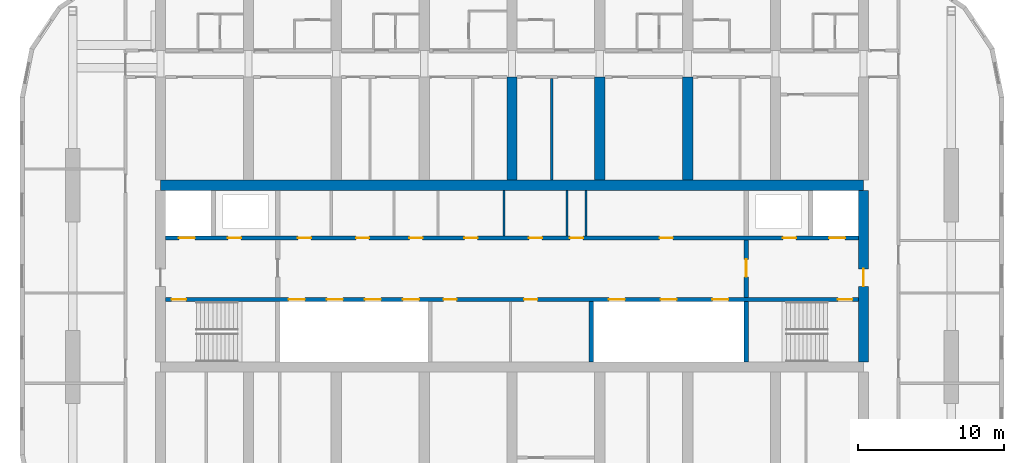
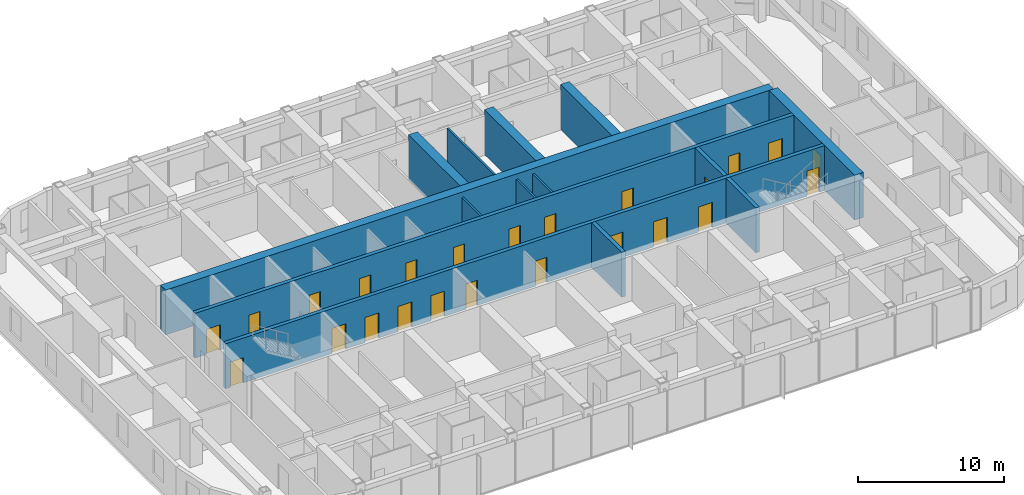
# One storey, part 14 of 23: 24 doors, 14 walls, 24 openings.
"""IFC4 building model written with IfcOpenShell, lengths in metres."""

from ifc_helpers import new_model, si_unit, direction, frame, frame_2d, origin, place, context, subcontext, project, spatial, rectangle, extrude, material, layer, layer_set, type_object, element, fill, save


model = new_model("IFC4")

# Units and contexts
model_context = context("Model", 3, precision=1e-05, world=origin(), true_north=direction((0.0, 1.0)))
body_context = subcontext(model_context, "Body", "Model", "MODEL_VIEW")
ifc_project = project(units=[si_unit("LENGTHUNIT", "METRE"), si_unit("AREAUNIT", "SQUARE_METRE"), si_unit("VOLUMEUNIT", "CUBIC_METRE"), si_unit("PLANEANGLEUNIT", "RADIAN"), si_unit("MASSUNIT", "GRAM", prefix="KILO")], contexts=[model_context])

# Site, building, storey
site_placement = place(None, origin())
site = spatial("IfcSite", under=ifc_project, at=site_placement, CompositionType="ELEMENT")
building_placement = place(site_placement, origin())
building = spatial("IfcBuilding", under=site, at=building_placement, Name="Orbita Commons", CompositionType="ELEMENT")
storey_placement = place(building_placement, frame((0.0, 0.0, 227.800048828125)))
storey = spatial("IfcBuildingStorey", under=building, at=storey_placement, Name="L56", CompositionType="ELEMENT", Elevation=227.800048828125)

# Wall, openings, doors
ifc_material_1 = material(Name="Concrete C50/60", Category="concrete")
ifc_layer_1 = layer(ifc_material_1, 0.300048828125)
ifc_layer_set_1 = layer_set([ifc_layer_1], Name="Concrete C50/60")
wall_type_1 = type_object("IfcWallType", Name="Core inner wall 300 C50/60", PredefinedType="SHEAR", material=ifc_layer_set_1)
wall_1_placement = place(storey_placement, frame((18.35009765625, 30.39990234375, 0.0), z_axis=(0.0, 0.0, 1.0), x_axis=(1.0, 0.0, 0.0)))
wall_1 = element("IfcWall", 1, at=wall_1_placement, inside=storey, type_object=wall_type_1, Name="Lobby wall south L56", PredefinedType="SHEAR", context=body_context, shape_type="SweptSolid", body=[
    extrude(rectangle(XDim=47.2998046875, YDim=0.300048828125, at=frame_2d((23.64990234375, 0.0))), origin(), (0.0, 0.0, 1.0), 3.75),
])
opening_1_placement = place(wall_1_placement, frame((0.39990234375, 0.0, 0.0)))
opening_1 = element("IfcOpeningElement", 2, at=opening_1_placement, cuts=wall_1, Name="Opening D02", PredefinedType="OPENING", context=body_context, shape_type="SweptSolid", body=[
    extrude(rectangle(XDim=1.0, YDim=2.10009765625, at=frame_2d((0.5, 1.050048828125))), frame((0.0, 0.159912109375, 0.0), z_axis=(0.0, -1.0, 0.0), x_axis=(1.0, 0.0, 0.0)), (0.0, 0.0, 1.0), 0.320068359375),
])
opening_2_placement = place(wall_1_placement, frame((45.89990234375, 0.0, 0.0)))
opening_2 = element("IfcOpeningElement", 3, at=opening_2_placement, cuts=wall_1, Name="Opening D02", PredefinedType="OPENING", context=body_context, shape_type="SweptSolid", body=[
    extrude(rectangle(XDim=1.0, YDim=2.10009765625, at=frame_2d((0.5, 1.050048828125))), frame((0.0, 0.159912109375, 0.0), z_axis=(0.0, -1.0, 0.0), x_axis=(1.0, 0.0, 0.0)), (0.0, 0.0, 1.0), 0.320068359375),
])
opening_3_placement = place(wall_1_placement, frame((8.39990234375, 0.0, 0.0)))
opening_3 = element("IfcOpeningElement", 4, at=opening_3_placement, cuts=wall_1, Name="Opening LD02", PredefinedType="OPENING", context=body_context, shape_type="SweptSolid", body=[
    extrude(rectangle(XDim=1.10009765625, YDim=2.10009765625, at=frame_2d((0.550048828125, 1.050048828125))), frame((0.0, 0.159912109375, 0.0), z_axis=(0.0, -1.0, 0.0), x_axis=(1.0, 0.0, 0.0)), (0.0, 0.0, 1.0), 0.320068359375),
])
opening_4_placement = place(wall_1_placement, frame((11.0, 0.0, 0.0)))
opening_4 = element("IfcOpeningElement", 5, at=opening_4_placement, cuts=wall_1, Name="Opening LD02", PredefinedType="OPENING", context=body_context, shape_type="SweptSolid", body=[
    extrude(rectangle(XDim=1.10009765625, YDim=2.10009765625, at=frame_2d((0.550048828125, 1.050048828125))), frame((0.0, 0.159912109375, 0.0), z_axis=(0.0, -1.0, 0.0), x_axis=(1.0, 0.0, 0.0)), (0.0, 0.0, 1.0), 0.320068359375),
])
opening_5_placement = place(wall_1_placement, frame((13.60009765625, 0.0, 0.0)))
opening_5 = element("IfcOpeningElement", 6, at=opening_5_placement, cuts=wall_1, Name="Opening LD02", PredefinedType="OPENING", context=body_context, shape_type="SweptSolid", body=[
    extrude(rectangle(XDim=1.10009765625, YDim=2.10009765625, at=frame_2d((0.550048828125, 1.050048828125))), frame((0.0, 0.159912109375, 0.0), z_axis=(0.0, -1.0, 0.0), x_axis=(1.0, 0.0, 0.0)), (0.0, 0.0, 1.0), 0.320068359375),
])
opening_6_placement = place(wall_1_placement, frame((16.199951171875, 0.0, 0.0)))
opening_6 = element("IfcOpeningElement", 7, at=opening_6_placement, cuts=wall_1, Name="Opening LD02", PredefinedType="OPENING", context=body_context, shape_type="SweptSolid", body=[
    extrude(rectangle(XDim=1.10009765625, YDim=2.10009765625, at=frame_2d((0.550048828125, 1.050048828125))), frame((0.0, 0.159912109375, 0.0), z_axis=(0.0, -1.0, 0.0), x_axis=(1.0, 0.0, 0.0)), (0.0, 0.0, 1.0), 0.320068359375),
])
opening_7_placement = place(wall_1_placement, frame((18.97509765625, 0.0, 0.0)))
opening_7 = element("IfcOpeningElement", 8, at=opening_7_placement, cuts=wall_1, Name="Opening D05", PredefinedType="OPENING", context=body_context, shape_type="SweptSolid", body=[
    extrude(rectangle(XDim=0.89990234375, YDim=2.10009765625, at=frame_2d((0.449951171875, 1.050048828125))), frame((0.0, 0.159912109375, 0.0), z_axis=(0.0, -1.0, 0.0), x_axis=(1.0, 0.0, 0.0)), (0.0, 0.0, 1.0), 0.320068359375),
])
opening_8_placement = place(wall_1_placement, frame((24.47509765625, 0.0, 0.0)))
opening_8 = element("IfcOpeningElement", 9, at=opening_8_placement, cuts=wall_1, Name="Opening D05", PredefinedType="OPENING", context=body_context, shape_type="SweptSolid", body=[
    extrude(rectangle(XDim=0.89990234375, YDim=2.10009765625, at=frame_2d((0.449951171875, 1.050048828125))), frame((0.0, 0.159912109375, 0.0), z_axis=(0.0, -1.0, 0.0), x_axis=(1.0, 0.0, 0.0)), (0.0, 0.0, 1.0), 0.320068359375),
])
opening_9_placement = place(wall_1_placement, frame((30.2666015625, 0.0, 0.0)))
opening_9 = element("IfcOpeningElement", 10, at=opening_9_placement, cuts=wall_1, Name="Opening LD02", PredefinedType="OPENING", context=body_context, shape_type="SweptSolid", body=[
    extrude(rectangle(XDim=1.10009765625, YDim=2.10009765625, at=frame_2d((0.550048828125, 1.050048828125))), frame((0.0, 0.159912109375, 0.0), z_axis=(0.0, -1.0, 0.0), x_axis=(1.0, 0.0, 0.0)), (0.0, 0.0, 1.0), 0.320068359375),
])
opening_10_placement = place(wall_1_placement, frame((33.800048828125, 0.0, 0.0)))
opening_10 = element("IfcOpeningElement", 11, at=opening_10_placement, cuts=wall_1, Name="Opening LD02", PredefinedType="OPENING", context=body_context, shape_type="SweptSolid", body=[
    extrude(rectangle(XDim=1.10009765625, YDim=2.10009765625, at=frame_2d((0.550048828125, 1.050048828125))), frame((0.0, 0.159912109375, 0.0), z_axis=(0.0, -1.0, 0.0), x_axis=(1.0, 0.0, 0.0)), (0.0, 0.0, 1.0), 0.320068359375),
])
opening_11_placement = place(wall_1_placement, frame((37.333251953125, 0.0, 0.0)))
opening_11 = element("IfcOpeningElement", 12, at=opening_11_placement, cuts=wall_1, Name="Opening LD02", PredefinedType="OPENING", context=body_context, shape_type="SweptSolid", body=[
    extrude(rectangle(XDim=1.10009765625, YDim=2.10009765625, at=frame_2d((0.550048828125, 1.050048828125))), frame((0.0, 0.159912109375, 0.0), z_axis=(0.0, -1.0, 0.0), x_axis=(1.0, 0.0, 0.0)), (0.0, 0.0, 1.0), 0.320068359375),
])
ifc_material_2 = material(Name="Steel-faced fire door leaf", Category="steel")
door_type_1 = type_object("IfcDoorType", Name="Fire door 90 min 1000x2100", OperationType="SINGLE_SWING_LEFT", PredefinedType="DOOR", material=ifc_material_2)
door_1_placement = place(opening_1_placement, origin())
door_1 = element("IfcDoor", 13, at=door_1_placement, inside=storey, type_object=door_type_1, Name="Stair S1 door", OperationType="SINGLE_SWING_LEFT", OverallHeight=2.10009765625, OverallWidth=1.0, PredefinedType="DOOR", context=body_context, shape_type="SweptSolid", body=[
    extrude(rectangle(XDim=1.0, YDim=2.10009765625, at=frame_2d((0.5, 1.050048828125))), frame((0.0, 0.02490234375, 0.0), z_axis=(0.0, -1.0, 0.0), x_axis=(1.0, 0.0, 0.0)), (0.0, 0.0, 1.0), 0.050048828125),
])
fill(opening_1, door_1)
door_2_placement = place(opening_2_placement, origin())
door_2 = element("IfcDoor", 14, at=door_2_placement, inside=storey, type_object=door_type_1, Name="Stair S2 door", OperationType="SINGLE_SWING_LEFT", OverallHeight=2.10009765625, OverallWidth=1.0, PredefinedType="DOOR", context=body_context, shape_type="SweptSolid", body=[
    extrude(rectangle(XDim=1.0, YDim=2.10009765625, at=frame_2d((0.5, 1.050048828125))), frame((0.0, 0.02490234375, 0.0), z_axis=(0.0, -1.0, 0.0), x_axis=(1.0, 0.0, 0.0)), (0.0, 0.0, 1.0), 0.050048828125),
])
fill(opening_2, door_2)
ifc_material_3 = material(Name="Steel-faced fire door leaf", Category="steel")
door_type_2 = type_object("IfcDoorType", Name="Lift landing door 1100x2100", OperationType="DOUBLE_DOOR_SLIDING", PredefinedType="DOOR", material=ifc_material_3)
door_3_placement = place(opening_3_placement, origin())
door_3 = element("IfcDoor", 15, at=door_3_placement, inside=storey, type_object=door_type_2, Name="Lift P41 landing door", OperationType="DOUBLE_DOOR_SLIDING", OverallHeight=2.10009765625, OverallWidth=1.10009765625, PredefinedType="DOOR", context=body_context, shape_type="SweptSolid", body=[
    extrude(rectangle(XDim=1.10009765625, YDim=2.10009765625, at=frame_2d((0.550048828125, 1.050048828125))), frame((0.0, 0.02490234375, 0.0), z_axis=(0.0, -1.0, 0.0), x_axis=(1.0, 0.0, 0.0)), (0.0, 0.0, 1.0), 0.050048828125),
])
fill(opening_3, door_3)
door_4_placement = place(opening_4_placement, origin())
door_4 = element("IfcDoor", 16, at=door_4_placement, inside=storey, type_object=door_type_2, Name="Lift P42 landing door", OperationType="DOUBLE_DOOR_SLIDING", OverallHeight=2.10009765625, OverallWidth=1.10009765625, PredefinedType="DOOR", context=body_context, shape_type="SweptSolid", body=[
    extrude(rectangle(XDim=1.10009765625, YDim=2.10009765625, at=frame_2d((0.550048828125, 1.050048828125))), frame((0.0, 0.02490234375, 0.0), z_axis=(0.0, -1.0, 0.0), x_axis=(1.0, 0.0, 0.0)), (0.0, 0.0, 1.0), 0.050048828125),
])
fill(opening_4, door_4)
door_5_placement = place(opening_5_placement, origin())
door_5 = element("IfcDoor", 17, at=door_5_placement, inside=storey, type_object=door_type_2, Name="Lift P43 landing door", OperationType="DOUBLE_DOOR_SLIDING", OverallHeight=2.10009765625, OverallWidth=1.10009765625, PredefinedType="DOOR", context=body_context, shape_type="SweptSolid", body=[
    extrude(rectangle(XDim=1.10009765625, YDim=2.10009765625, at=frame_2d((0.550048828125, 1.050048828125))), frame((0.0, 0.02490234375, 0.0), z_axis=(0.0, -1.0, 0.0), x_axis=(1.0, 0.0, 0.0)), (0.0, 0.0, 1.0), 0.050048828125),
])
fill(opening_5, door_5)
door_6_placement = place(opening_6_placement, origin())
door_6 = element("IfcDoor", 18, at=door_6_placement, inside=storey, type_object=door_type_2, Name="Lift P44 landing door", OperationType="DOUBLE_DOOR_SLIDING", OverallHeight=2.10009765625, OverallWidth=1.10009765625, PredefinedType="DOOR", context=body_context, shape_type="SweptSolid", body=[
    extrude(rectangle(XDim=1.10009765625, YDim=2.10009765625, at=frame_2d((0.550048828125, 1.050048828125))), frame((0.0, 0.02490234375, 0.0), z_axis=(0.0, -1.0, 0.0), x_axis=(1.0, 0.0, 0.0)), (0.0, 0.0, 1.0), 0.050048828125),
])
fill(opening_6, door_6)
door_7_placement = place(opening_9_placement, origin())
door_7 = element("IfcDoor", 19, at=door_7_placement, inside=storey, type_object=door_type_2, Name="Lift SV1 landing door", OperationType="DOUBLE_DOOR_SLIDING", OverallHeight=2.10009765625, OverallWidth=1.10009765625, PredefinedType="DOOR", context=body_context, shape_type="SweptSolid", body=[
    extrude(rectangle(XDim=1.10009765625, YDim=2.10009765625, at=frame_2d((0.550048828125, 1.050048828125))), frame((0.0, 0.02490234375, 0.0), z_axis=(0.0, -1.0, 0.0), x_axis=(1.0, 0.0, 0.0)), (0.0, 0.0, 1.0), 0.050048828125),
])
fill(opening_9, door_7)
door_8_placement = place(opening_10_placement, origin())
door_8 = element("IfcDoor", 20, at=door_8_placement, inside=storey, type_object=door_type_2, Name="Lift SV2 landing door", OperationType="DOUBLE_DOOR_SLIDING", OverallHeight=2.10009765625, OverallWidth=1.10009765625, PredefinedType="DOOR", context=body_context, shape_type="SweptSolid", body=[
    extrude(rectangle(XDim=1.10009765625, YDim=2.10009765625, at=frame_2d((0.550048828125, 1.050048828125))), frame((0.0, 0.02490234375, 0.0), z_axis=(0.0, -1.0, 0.0), x_axis=(1.0, 0.0, 0.0)), (0.0, 0.0, 1.0), 0.050048828125),
])
fill(opening_10, door_8)
door_9_placement = place(opening_11_placement, origin())
door_9 = element("IfcDoor", 21, at=door_9_placement, inside=storey, type_object=door_type_2, Name="Lift SV3 landing door", OperationType="DOUBLE_DOOR_SLIDING", OverallHeight=2.10009765625, OverallWidth=1.10009765625, PredefinedType="DOOR", context=body_context, shape_type="SweptSolid", body=[
    extrude(rectangle(XDim=1.10009765625, YDim=2.10009765625, at=frame_2d((0.550048828125, 1.050048828125))), frame((0.0, 0.02490234375, 0.0), z_axis=(0.0, -1.0, 0.0), x_axis=(1.0, 0.0, 0.0)), (0.0, 0.0, 1.0), 0.050048828125),
])
fill(opening_11, door_9)
ifc_material_4 = material(Name="Steel-faced fire door leaf", Category="steel")
door_type_3 = type_object("IfcDoorType", Name="Service door 20 min 900x2100", OperationType="SINGLE_SWING_LEFT", PredefinedType="DOOR", material=ifc_material_4)
door_10_placement = place(opening_7_placement, origin())
door_10 = element("IfcDoor", 22, at=door_10_placement, inside=storey, type_object=door_type_3, Name="Telecoms room door", OperationType="SINGLE_SWING_LEFT", OverallHeight=2.10009765625, OverallWidth=0.89990234375, PredefinedType="DOOR", context=body_context, shape_type="SweptSolid", body=[
    extrude(rectangle(XDim=0.89990234375, YDim=2.10009765625, at=frame_2d((0.449951171875, 1.050048828125))), frame((0.0, 0.02490234375, 0.0), z_axis=(0.0, -1.0, 0.0), x_axis=(1.0, 0.0, 0.0)), (0.0, 0.0, 1.0), 0.050048828125),
])
fill(opening_7, door_10)
door_11_placement = place(opening_8_placement, origin())
door_11 = element("IfcDoor", 23, at=door_11_placement, inside=storey, type_object=door_type_3, Name="Equipment store door", OperationType="SINGLE_SWING_LEFT", OverallHeight=2.10009765625, OverallWidth=0.89990234375, PredefinedType="DOOR", context=body_context, shape_type="SweptSolid", body=[
    extrude(rectangle(XDim=0.89990234375, YDim=2.10009765625, at=frame_2d((0.449951171875, 1.050048828125))), frame((0.0, 0.02490234375, 0.0), z_axis=(0.0, -1.0, 0.0), x_axis=(1.0, 0.0, 0.0)), (0.0, 0.0, 1.0), 0.050048828125),
])
fill(opening_8, door_11)

wall_2_placement = place(storey_placement, frame((18.35009765625, 34.60009765625, 0.0), z_axis=(0.0, 0.0, 1.0), x_axis=(1.0, 0.0, 0.0)))
wall_2 = element("IfcWall", 24, at=wall_2_placement, inside=storey, type_object=wall_type_1, Name="Lobby wall north L56", PredefinedType="SHEAR", context=body_context, shape_type="SweptSolid", body=[
    extrude(rectangle(XDim=47.2998046875, YDim=0.300048828125, at=frame_2d((23.64990234375, 0.0))), origin(), (0.0, 0.0, 1.0), 3.75),
])
opening_12_placement = place(wall_2_placement, frame((0.89990234375, 0.0, 0.0)))
opening_12 = element("IfcOpeningElement", 25, at=opening_12_placement, cuts=wall_2, Name="Opening LD01", PredefinedType="OPENING", context=body_context, shape_type="SweptSolid", body=[
    extrude(rectangle(XDim=1.10009765625, YDim=2.10009765625, at=frame_2d((0.550048828125, 1.050048828125))), frame((0.0, 0.159912109375, 0.0), z_axis=(0.0, -1.0, 0.0), x_axis=(1.0, 0.0, 0.0)), (0.0, 0.0, 1.0), 0.320068359375),
])
opening_13_placement = place(wall_2_placement, frame((45.300048828125, 0.0, 0.0)))
opening_13 = element("IfcOpeningElement", 26, at=opening_13_placement, cuts=wall_2, Name="Opening LD01", PredefinedType="OPENING", context=body_context, shape_type="SweptSolid", body=[
    extrude(rectangle(XDim=1.10009765625, YDim=2.10009765625, at=frame_2d((0.550048828125, 1.050048828125))), frame((0.0, 0.159912109375, 0.0), z_axis=(0.0, -1.0, 0.0), x_axis=(1.0, 0.0, 0.0)), (0.0, 0.0, 1.0), 0.320068359375),
])
opening_14_placement = place(wall_2_placement, frame((4.25, 0.0, 0.0)))
opening_14 = element("IfcOpeningElement", 27, at=opening_14_placement, cuts=wall_2, Name="Opening D03", PredefinedType="OPENING", context=body_context, shape_type="SweptSolid", body=[
    extrude(rectangle(XDim=0.89990234375, YDim=2.10009765625, at=frame_2d((0.449951171875, 1.050048828125))), frame((0.0, 0.159912109375, 0.0), z_axis=(0.0, -1.0, 0.0), x_axis=(1.0, 0.0, 0.0)), (0.0, 0.0, 1.0), 0.320068359375),
])
opening_15_placement = place(wall_2_placement, frame((42.14990234375, 0.0, 0.0)))
opening_15 = element("IfcOpeningElement", 28, at=opening_15_placement, cuts=wall_2, Name="Opening D03", PredefinedType="OPENING", context=body_context, shape_type="SweptSolid", body=[
    extrude(rectangle(XDim=0.89990234375, YDim=2.10009765625, at=frame_2d((0.449951171875, 1.050048828125))), frame((0.0, 0.159912109375, 0.0), z_axis=(0.0, -1.0, 0.0), x_axis=(1.0, 0.0, 0.0)), (0.0, 0.0, 1.0), 0.320068359375),
])
opening_16_placement = place(wall_2_placement, frame((9.025390625, 0.0, 0.0)))
opening_16 = element("IfcOpeningElement", 29, at=opening_16_placement, cuts=wall_2, Name="Opening D05", PredefinedType="OPENING", context=body_context, shape_type="SweptSolid", body=[
    extrude(rectangle(XDim=0.89990234375, YDim=2.10009765625, at=frame_2d((0.449951171875, 1.050048828125))), frame((0.0, 0.159912109375, 0.0), z_axis=(0.0, -1.0, 0.0), x_axis=(1.0, 0.0, 0.0)), (0.0, 0.0, 1.0), 0.320068359375),
])
opening_17_placement = place(wall_2_placement, frame((12.998779296875, 0.0, 0.0)))
opening_17 = element("IfcOpeningElement", 30, at=opening_17_placement, cuts=wall_2, Name="Opening D03", PredefinedType="OPENING", context=body_context, shape_type="SweptSolid", body=[
    extrude(rectangle(XDim=0.89990234375, YDim=2.10009765625, at=frame_2d((0.449951171875, 1.050048828125))), frame((0.0, 0.159912109375, 0.0), z_axis=(0.0, -1.0, 0.0), x_axis=(1.0, 0.0, 0.0)), (0.0, 0.0, 1.0), 0.320068359375),
])
opening_18_placement = place(wall_2_placement, frame((16.646240234375, 0.0, 0.0)))
opening_18 = element("IfcOpeningElement", 31, at=opening_18_placement, cuts=wall_2, Name="Opening D03", PredefinedType="OPENING", context=body_context, shape_type="SweptSolid", body=[
    extrude(rectangle(XDim=0.89990234375, YDim=2.10009765625, at=frame_2d((0.449951171875, 1.050048828125))), frame((0.0, 0.159912109375, 0.0), z_axis=(0.0, -1.0, 0.0), x_axis=(1.0, 0.0, 0.0)), (0.0, 0.0, 1.0), 0.320068359375),
])
opening_19_placement = place(wall_2_placement, frame((20.40478515625, 0.0, 0.0)))
opening_19 = element("IfcOpeningElement", 32, at=opening_19_placement, cuts=wall_2, Name="Opening D05", PredefinedType="OPENING", context=body_context, shape_type="SweptSolid", body=[
    extrude(rectangle(XDim=0.89990234375, YDim=2.10009765625, at=frame_2d((0.449951171875, 1.050048828125))), frame((0.0, 0.159912109375, 0.0), z_axis=(0.0, -1.0, 0.0), x_axis=(1.0, 0.0, 0.0)), (0.0, 0.0, 1.0), 0.320068359375),
])
opening_20_placement = place(wall_2_placement, frame((24.810791015625, 0.0, 0.0)))
opening_20 = element("IfcOpeningElement", 33, at=opening_20_placement, cuts=wall_2, Name="Opening D03", PredefinedType="OPENING", context=body_context, shape_type="SweptSolid", body=[
    extrude(rectangle(XDim=0.89990234375, YDim=2.10009765625, at=frame_2d((0.449951171875, 1.050048828125))), frame((0.0, 0.159912109375, 0.0), z_axis=(0.0, -1.0, 0.0), x_axis=(1.0, 0.0, 0.0)), (0.0, 0.0, 1.0), 0.320068359375),
])
opening_21_placement = place(wall_2_placement, frame((27.6083984375, 0.0, 0.0)))
opening_21 = element("IfcOpeningElement", 34, at=opening_21_placement, cuts=wall_2, Name="Opening D03", PredefinedType="OPENING", context=body_context, shape_type="SweptSolid", body=[
    extrude(rectangle(XDim=0.89990234375, YDim=2.10009765625, at=frame_2d((0.449951171875, 1.050048828125))), frame((0.0, 0.159912109375, 0.0), z_axis=(0.0, -1.0, 0.0), x_axis=(1.0, 0.0, 0.0)), (0.0, 0.0, 1.0), 0.320068359375),
])
opening_22_placement = place(wall_2_placement, frame((33.729248046875, 0.0, 0.0)))
opening_22 = element("IfcOpeningElement", 35, at=opening_22_placement, cuts=wall_2, Name="Opening D03", PredefinedType="OPENING", context=body_context, shape_type="SweptSolid", body=[
    extrude(rectangle(XDim=0.89990234375, YDim=2.10009765625, at=frame_2d((0.449951171875, 1.050048828125))), frame((0.0, 0.159912109375, 0.0), z_axis=(0.0, -1.0, 0.0), x_axis=(1.0, 0.0, 0.0)), (0.0, 0.0, 1.0), 0.320068359375),
])
ifc_material_5 = material(Name="Steel-faced fire door leaf", Category="steel")
door_type_4 = type_object("IfcDoorType", Name="Firefighting lift landing door 1100x2100", OperationType="DOUBLE_DOOR_SLIDING", PredefinedType="DOOR", material=ifc_material_5)
door_12_placement = place(opening_12_placement, origin())
door_12 = element("IfcDoor", 36, at=door_12_placement, inside=storey, type_object=door_type_4, Name="Firefighting lift FL1 landing door", OperationType="DOUBLE_DOOR_SLIDING", OverallHeight=2.10009765625, OverallWidth=1.10009765625, PredefinedType="DOOR", context=body_context, shape_type="SweptSolid", body=[
    extrude(rectangle(XDim=1.10009765625, YDim=2.10009765625, at=frame_2d((0.550048828125, 1.050048828125))), frame((0.0, 0.02490234375, 0.0), z_axis=(0.0, -1.0, 0.0), x_axis=(1.0, 0.0, 0.0)), (0.0, 0.0, 1.0), 0.050048828125),
])
fill(opening_12, door_12)
door_13_placement = place(opening_13_placement, origin())
door_13 = element("IfcDoor", 37, at=door_13_placement, inside=storey, type_object=door_type_4, Name="Firefighting lift FL2 landing door", OperationType="DOUBLE_DOOR_SLIDING", OverallHeight=2.10009765625, OverallWidth=1.10009765625, PredefinedType="DOOR", context=body_context, shape_type="SweptSolid", body=[
    extrude(rectangle(XDim=1.10009765625, YDim=2.10009765625, at=frame_2d((0.550048828125, 1.050048828125))), frame((0.0, 0.02490234375, 0.0), z_axis=(0.0, -1.0, 0.0), x_axis=(1.0, 0.0, 0.0)), (0.0, 0.0, 1.0), 0.050048828125),
])
fill(opening_13, door_13)
door_14_placement = place(opening_16_placement, origin())
door_14 = element("IfcDoor", 38, at=door_14_placement, inside=storey, type_object=door_type_3, Name="Staff WC door", OperationType="SINGLE_SWING_LEFT", OverallHeight=2.10009765625, OverallWidth=0.89990234375, PredefinedType="DOOR", context=body_context, shape_type="SweptSolid", body=[
    extrude(rectangle(XDim=0.89990234375, YDim=2.10009765625, at=frame_2d((0.449951171875, 1.050048828125))), frame((0.0, 0.02490234375, 0.0), z_axis=(0.0, -1.0, 0.0), x_axis=(1.0, 0.0, 0.0)), (0.0, 0.0, 1.0), 0.050048828125),
])
fill(opening_16, door_14)
door_15_placement = place(opening_19_placement, origin())
door_15 = element("IfcDoor", 39, at=door_15_placement, inside=storey, type_object=door_type_3, Name="Accessible WC door", OperationType="SINGLE_SWING_LEFT", OverallHeight=2.10009765625, OverallWidth=0.89990234375, PredefinedType="DOOR", context=body_context, shape_type="SweptSolid", body=[
    extrude(rectangle(XDim=0.89990234375, YDim=2.10009765625, at=frame_2d((0.449951171875, 1.050048828125))), frame((0.0, 0.02490234375, 0.0), z_axis=(0.0, -1.0, 0.0), x_axis=(1.0, 0.0, 0.0)), (0.0, 0.0, 1.0), 0.050048828125),
])
fill(opening_19, door_15)
ifc_material_6 = material(Name="Steel-faced fire door leaf", Category="steel")
door_type_5 = type_object("IfcDoorType", Name="Shaft access door 90 min 900x2100", OperationType="SINGLE_SWING_LEFT", PredefinedType="DOOR", material=ifc_material_6)
door_16_placement = place(opening_14_placement, origin())
door_16 = element("IfcDoor", 40, at=door_16_placement, inside=storey, type_object=door_type_5, Name="Riser door west", OperationType="SINGLE_SWING_LEFT", OverallHeight=2.10009765625, OverallWidth=0.89990234375, PredefinedType="DOOR", context=body_context, shape_type="SweptSolid", body=[
    extrude(rectangle(XDim=0.89990234375, YDim=2.10009765625, at=frame_2d((0.449951171875, 1.050048828125))), frame((0.0, 0.02490234375, 0.0), z_axis=(0.0, -1.0, 0.0), x_axis=(1.0, 0.0, 0.0)), (0.0, 0.0, 1.0), 0.050048828125),
])
fill(opening_14, door_16)
door_17_placement = place(opening_15_placement, origin())
door_17 = element("IfcDoor", 41, at=door_17_placement, inside=storey, type_object=door_type_5, Name="Riser door east", OperationType="SINGLE_SWING_LEFT", OverallHeight=2.10009765625, OverallWidth=0.89990234375, PredefinedType="DOOR", context=body_context, shape_type="SweptSolid", body=[
    extrude(rectangle(XDim=0.89990234375, YDim=2.10009765625, at=frame_2d((0.449951171875, 1.050048828125))), frame((0.0, 0.02490234375, 0.0), z_axis=(0.0, -1.0, 0.0), x_axis=(1.0, 0.0, 0.0)), (0.0, 0.0, 1.0), 0.050048828125),
])
fill(opening_15, door_17)
door_18_placement = place(opening_17_placement, origin())
door_18 = element("IfcDoor", 42, at=door_18_placement, inside=storey, type_object=door_type_5, Name="Refuse chute room door", OperationType="SINGLE_SWING_LEFT", OverallHeight=2.10009765625, OverallWidth=0.89990234375, PredefinedType="DOOR", context=body_context, shape_type="SweptSolid", body=[
    extrude(rectangle(XDim=0.89990234375, YDim=2.10009765625, at=frame_2d((0.449951171875, 1.050048828125))), frame((0.0, 0.02490234375, 0.0), z_axis=(0.0, -1.0, 0.0), x_axis=(1.0, 0.0, 0.0)), (0.0, 0.0, 1.0), 0.050048828125),
])
fill(opening_17, door_18)
door_19_placement = place(opening_18_placement, origin())
door_19 = element("IfcDoor", 43, at=door_19_placement, inside=storey, type_object=door_type_5, Name="Electrical riser room door", OperationType="SINGLE_SWING_LEFT", OverallHeight=2.10009765625, OverallWidth=0.89990234375, PredefinedType="DOOR", context=body_context, shape_type="SweptSolid", body=[
    extrude(rectangle(XDim=0.89990234375, YDim=2.10009765625, at=frame_2d((0.449951171875, 1.050048828125))), frame((0.0, 0.02490234375, 0.0), z_axis=(0.0, -1.0, 0.0), x_axis=(1.0, 0.0, 0.0)), (0.0, 0.0, 1.0), 0.050048828125),
])
fill(opening_18, door_19)
door_20_placement = place(opening_20_placement, origin())
door_20 = element("IfcDoor", 44, at=door_20_placement, inside=storey, type_object=door_type_5, Name="Communications room door", OperationType="SINGLE_SWING_LEFT", OverallHeight=2.10009765625, OverallWidth=0.89990234375, PredefinedType="DOOR", context=body_context, shape_type="SweptSolid", body=[
    extrude(rectangle(XDim=0.89990234375, YDim=2.10009765625, at=frame_2d((0.449951171875, 1.050048828125))), frame((0.0, 0.02490234375, 0.0), z_axis=(0.0, -1.0, 0.0), x_axis=(1.0, 0.0, 0.0)), (0.0, 0.0, 1.0), 0.050048828125),
])
fill(opening_20, door_20)
door_21_placement = place(opening_21_placement, origin())
door_21 = element("IfcDoor", 45, at=door_21_placement, inside=storey, type_object=door_type_5, Name="Stair pressurisation duct door", OperationType="SINGLE_SWING_LEFT", OverallHeight=2.10009765625, OverallWidth=0.89990234375, PredefinedType="DOOR", context=body_context, shape_type="SweptSolid", body=[
    extrude(rectangle(XDim=0.89990234375, YDim=2.10009765625, at=frame_2d((0.449951171875, 1.050048828125))), frame((0.0, 0.02490234375, 0.0), z_axis=(0.0, -1.0, 0.0), x_axis=(1.0, 0.0, 0.0)), (0.0, 0.0, 1.0), 0.050048828125),
])
fill(opening_21, door_21)
door_22_placement = place(opening_22_placement, origin())
door_22 = element("IfcDoor", 46, at=door_22_placement, inside=storey, type_object=door_type_5, Name="Linen and housekeeping store door", OperationType="SINGLE_SWING_LEFT", OverallHeight=2.10009765625, OverallWidth=0.89990234375, PredefinedType="DOOR", context=body_context, shape_type="SweptSolid", body=[
    extrude(rectangle(XDim=0.89990234375, YDim=2.10009765625, at=frame_2d((0.449951171875, 1.050048828125))), frame((0.0, 0.02490234375, 0.0), z_axis=(0.0, -1.0, 0.0), x_axis=(1.0, 0.0, 0.0)), (0.0, 0.0, 1.0), 0.050048828125),
])
fill(opening_22, door_22)

# Wall
wall_3_placement = place(storey_placement, frame((58.0, 26.14990234375, 0.0), z_axis=(0.0, 0.0, 1.0), x_axis=(0.0, 1.0, 0.0)))
element("IfcWall", 47, at=wall_3_placement, inside=storey, type_object=wall_type_1, Name="Stair S2 wall L56", PredefinedType="SHEAR", context=body_context, shape_type="SweptSolid", body=[
    extrude(rectangle(XDim=4.10009765625, YDim=0.300048828125, at=frame_2d((2.050048828125, 0.0))), origin(), (0.0, 0.0, 1.0), 3.75),
])

# Wall, opening, door
wall_4_placement = place(storey_placement, frame((58.0, 30.550048828125, 0.0), z_axis=(0.0, 0.0, 1.0), x_axis=(0.0, 1.0, 0.0)))
wall_4 = element("IfcWall", 48, at=wall_4_placement, inside=storey, type_object=wall_type_1, Name="Firefighting lobby wall east L56", PredefinedType="SHEAR", context=body_context, shape_type="SweptSolid", body=[
    extrude(rectangle(XDim=3.89990234375, YDim=0.300048828125, at=frame_2d((1.949951171875, 0.0))), origin(), (0.0, 0.0, 1.0), 3.75),
])
opening_23_placement = place(wall_4_placement, frame((1.39990234375, 0.0, 0.0)))
opening_23 = element("IfcOpeningElement", 49, at=opening_23_placement, cuts=wall_4, Name="Opening D04", PredefinedType="OPENING", context=body_context, shape_type="SweptSolid", body=[
    extrude(rectangle(XDim=1.199951171875, YDim=2.10009765625, at=frame_2d((0.60009765625, 1.050048828125))), frame((0.0, 0.159912109375, 0.0), z_axis=(0.0, -1.0, 0.0), x_axis=(1.0, 0.0, 0.0)), (0.0, 0.0, 1.0), 0.320068359375),
])
ifc_material_7 = material(Name="Steel-faced fire door leaf", Category="steel")
door_type_6 = type_object("IfcDoorType", Name="Service door 20 min 1200x2100", OperationType="SINGLE_SWING_LEFT", PredefinedType="DOOR", material=ifc_material_7)
door_23_placement = place(opening_23_placement, origin())
door_23 = element("IfcDoor", 50, at=door_23_placement, inside=storey, type_object=door_type_6, Name="Lift lobby door east", OperationType="SINGLE_SWING_LEFT", OverallHeight=2.10009765625, OverallWidth=1.199951171875, PredefinedType="DOOR", context=body_context, shape_type="SweptSolid", body=[
    extrude(rectangle(XDim=1.199951171875, YDim=2.10009765625, at=frame_2d((0.60009765625, 1.050048828125))), frame((0.0, 0.02490234375, 0.0), z_axis=(0.0, -1.0, 0.0), x_axis=(1.0, 0.0, 0.0)), (0.0, 0.0, 1.0), 0.050048828125),
])
fill(opening_23, door_23)

# Walls
wall_5_placement = place(storey_placement, frame((47.39990234375, 26.14990234375, 0.0), z_axis=(0.0, 0.0, 1.0), x_axis=(0.0, 1.0, 0.0)))
element("IfcWall", 51, at=wall_5_placement, inside=storey, type_object=wall_type_1, Name="Hoistway division wall L56", PredefinedType="SHEAR", context=body_context, shape_type="SweptSolid", body=[
    extrude(rectangle(XDim=4.10009765625, YDim=0.300048828125, at=frame_2d((2.050048828125, 0.0))), origin(), (0.0, 0.0, 1.0), 3.75),
])
ifc_material_8 = material(Name="Concrete blockwork", Category="masonry")
ifc_layer_2 = layer(ifc_material_8, 0.14990234375)
ifc_layer_set_2 = layer_set([ifc_layer_2], Name="Concrete blockwork")
wall_type_2 = type_object("IfcWallType", Name="Core partition 150 blockwork", PredefinedType="SOLIDWALL", material=ifc_layer_set_2)
for number, where, z_axis, x_axis, name in (
    (52, (41.463134765625, 34.75, 0.0), (0.0, 0.0, 1.0), (0.0, 1.0, 0.0), "Core partition 150 blockwork L56"),
    (53, (45.75830078125, 34.75, 0.0), (0.0, 0.0, 1.0), (0.0, 1.0, 0.0), "Core partition 150 blockwork L56"),
    (54, (47.058349609375, 34.75, 0.0), (0.0, 0.0, 1.0), (0.0, 1.0, 0.0), "Core partition 150 blockwork L56"),
):
    element("IfcWall", number, at=place(storey_placement, frame(where, z_axis=z_axis, x_axis=x_axis)), inside=storey, type_object=wall_type_2, Name=name, PredefinedType="SOLIDWALL", context=body_context, shape_type="SweptSolid", body=[
        extrude(rectangle(XDim=3.10009765625, YDim=0.14990234375, at=frame_2d((1.550048828125, 0.0))), origin(), (0.0, 0.0, 1.0), 3.300048828125),
    ])
ifc_material_9 = material(Name="Concrete C50/60", Category="concrete")
ifc_layer_3 = layer(ifc_material_9, 0.699951171875)
ifc_layer_set_3 = layer_set([ifc_layer_3], Name="Concrete C50/60")
wall_type_3 = type_object("IfcWallType", Name="Core wall 700 C50/60", PredefinedType="SHEAR", material=ifc_layer_set_3)
wall_6_placement = place(storey_placement, frame((18.0, 38.199951171875, 0.0), z_axis=(0.0, 0.0, 1.0), x_axis=(1.0, 0.0, 0.0)))
element("IfcWall", 55, at=wall_6_placement, inside=storey, type_object=wall_type_3, Name="Core spine wall north L56", PredefinedType="SHEAR", context=body_context, shape_type="SweptSolid", body=[
    extrude(rectangle(XDim=48.0, YDim=0.699951171875, at=frame_2d((24.0, 0.0))), origin(), (0.0, 0.0, 1.0), 3.75),
])

# Wall, opening, door
wall_7_placement = place(storey_placement, frame((66.0, 26.14990234375, 0.0), z_axis=(0.0, 0.0, 1.0), x_axis=(0.0, 1.0, 0.0)))
wall_7 = element("IfcWall", 56, at=wall_7_placement, inside=storey, type_object=wall_type_3, Name="Core end wall east L56", PredefinedType="SHEAR", context=body_context, shape_type="SweptSolid", body=[
    extrude(rectangle(XDim=11.7001953125, YDim=0.699951171875, at=frame_2d((5.85009765625, 0.0))), origin(), (0.0, 0.0, 1.0), 3.75),
])
opening_24_placement = place(wall_7_placement, frame((5.14990234375, 0.0, 0.0)))
opening_24 = element("IfcOpeningElement", 57, at=opening_24_placement, cuts=wall_7, Name="Opening D01", PredefinedType="OPENING", context=body_context, shape_type="SweptSolid", body=[
    extrude(rectangle(XDim=1.199951171875, YDim=2.10009765625, at=frame_2d((0.60009765625, 1.050048828125))), frame((0.0, 0.35986328125, 0.0), z_axis=(0.0, -1.0, 0.0), x_axis=(1.0, 0.0, 0.0)), (0.0, 0.0, 1.0), 0.719970703125),
])
ifc_material_10 = material(Name="Steel-faced fire door leaf", Category="steel")
door_type_7 = type_object("IfcDoorType", Name="Fire door 90 min 1200x2100", OperationType="SINGLE_SWING_LEFT", PredefinedType="DOOR", material=ifc_material_10)
door_24_placement = place(opening_24_placement, origin())
door_24 = element("IfcDoor", 58, at=door_24_placement, inside=storey, type_object=door_type_7, Name="Firefighting lobby east door", OperationType="SINGLE_SWING_LEFT", OverallHeight=2.10009765625, OverallWidth=1.199951171875, PredefinedType="DOOR", context=body_context, shape_type="SweptSolid", body=[
    extrude(rectangle(XDim=1.199951171875, YDim=2.10009765625, at=frame_2d((0.60009765625, 1.050048828125))), frame((0.0, 0.02490234375, 0.0), z_axis=(0.0, -1.0, 0.0), x_axis=(1.0, 0.0, 0.0)), (0.0, 0.0, 1.0), 0.050048828125),
])
fill(opening_24, door_24)

# Walls
ifc_material_11 = material(Name="Concrete C50/60", Category="concrete")
ifc_layer_4 = layer(ifc_material_11, 0.699951171875)
ifc_layer_set_4 = layer_set([ifc_layer_4], Name="Concrete C50/60")
wall_type_4 = type_object("IfcWallType", Name="Cross wall 700 C50/60", PredefinedType="SHEAR", material=ifc_layer_set_4)
for number, where, z_axis, x_axis, name in (
    (59, (42.0, 38.550048828125, 0.0), (0.0, 0.0, 1.0), (0.0, 1.0, 0.0), "Cross wall 8 north inner L56"),
    (60, (48.0, 38.550048828125, 0.0), (0.0, 0.0, 1.0), (0.0, 1.0, 0.0), "Cross wall 9 north inner L56"),
    (61, (54.0, 38.550048828125, 0.0), (0.0, 0.0, 1.0), (0.0, 1.0, 0.0), "Cross wall 10 north inner L56"),
):
    element("IfcWall", number, at=place(storey_placement, frame(where, z_axis=z_axis, x_axis=x_axis)), inside=storey, type_object=wall_type_4, Name=name, PredefinedType="SHEAR", context=body_context, shape_type="SweptSolid", body=[
        extrude(rectangle(XDim=7.050048828125, YDim=0.699951171875, at=frame_2d((3.52490234375, 0.0))), origin(), (0.0, 0.0, 1.0), 3.75),
    ])
ifc_material_12 = material(Name="Gypsum plasterboard on steel studs", Category="steel")
ifc_layer_5 = layer(ifc_material_12, 0.14990234375)
ifc_layer_set_5 = layer_set([ifc_layer_5], Name="Gypsum plasterboard on steel studs")
wall_type_5 = type_object("IfcWallType", Name="Partition 150 plasterboard", PredefinedType="PARTITIONING", material=ifc_layer_set_5)
wall_8_placement = place(storey_placement, frame((44.719970703125, 38.550048828125, 0.0), z_axis=(0.0, 0.0, 1.0), x_axis=(0.0, 1.0, 0.0)))
element("IfcWall", 62, at=wall_8_placement, inside=storey, type_object=wall_type_5, Name="Partition 150 plasterboard L56", PredefinedType="PARTITIONING", context=body_context, shape_type="SweptSolid", body=[
    extrude(rectangle(XDim=6.949951171875, YDim=0.14990234375, at=frame_2d((3.47509765625, 0.0))), origin(), (0.0, 0.0, 1.0), 3.300048828125),
])

save(model, "model.ifc")
